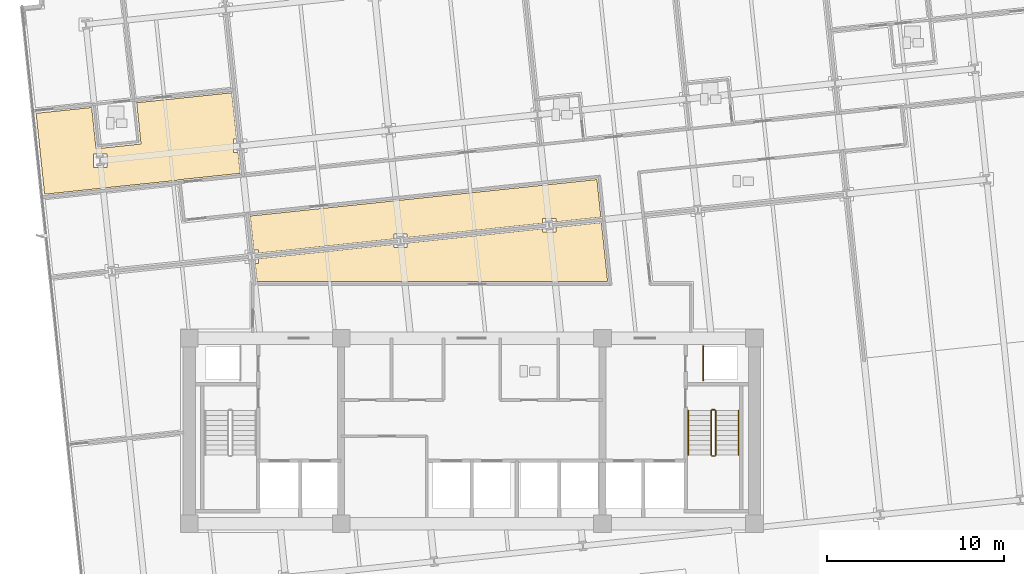
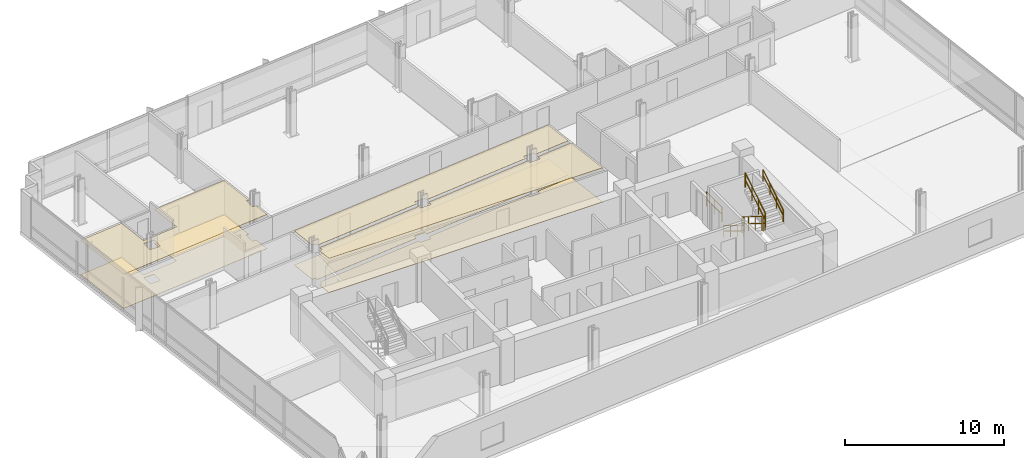
# One storey, part 15 of 18: 7 railings, 6 coverings.
"""IFC4 building model written with IfcOpenShell, lengths in metres."""

from ifc_helpers import new_model, si_unit, direction, frame, origin, origin_2d, place, context, subcontext, project, spatial, polyline, circle, outline, extrude, material, layer, layer_set, type_object, element, save


model = new_model("IFC4")

# Units and contexts
model_context = context("Model", 3, precision=1e-05, world=origin(), true_north=direction((0.0, 1.0)))
body_context = subcontext(model_context, "Body", "Model", "MODEL_VIEW")
ifc_project = project(units=[si_unit("LENGTHUNIT", "METRE"), si_unit("AREAUNIT", "SQUARE_METRE"), si_unit("VOLUMEUNIT", "CUBIC_METRE"), si_unit("PLANEANGLEUNIT", "RADIAN"), si_unit("MASSUNIT", "GRAM", prefix="KILO")], contexts=[model_context])

# Site, building, storey
site_placement = place(None, origin())
site = spatial("IfcSite", under=ifc_project, at=site_placement, CompositionType="ELEMENT")
building_placement = place(site_placement, origin())
building = spatial("IfcBuilding", under=site, at=building_placement, Name="Solmavex Isthmus Hotel", CompositionType="ELEMENT")
storey_placement = place(building_placement, frame((0.0, 0.0, 123.60009765625)))
storey = spatial("IfcBuildingStorey", under=building, at=storey_placement, Name="L33", CompositionType="ELEMENT", Elevation=123.60009765625)

# Coverings
ifc_material_1 = material(Name="Gypsum plasterboard lining", Category="gypsum")
ifc_layer_1 = layer(ifc_material_1, 0.030029296875)
ifc_layer_set_1 = layer_set([ifc_layer_1], Name="Gypsum plasterboard lining")
covering_type_1 = type_object("IfcCoveringType", Name="COV-CEIL-GYP", PredefinedType="CEILING", material=ifc_layer_set_1)
covering_1_placement = place(storey_placement, frame((0.0, 0.0, 2.619873046875)))
element("IfcCovering", 1, at=covering_1_placement, inside=storey, type_object=covering_type_1, Name="Suspended Acoustic Ceiling L33-ST01-FY", PredefinedType="CEILING", context=body_context, shape_type="SweptSolid", body=[
    extrude(outline(polyline([(-21.519775390625, 10.560791015625), (-24.66650390625, 10.22998046875), (-24.184814453125, 5.647216796875), (-16.688232421875, 6.43505859375), (-16.690185546875, 6.455078125), (-13.10986328125, 6.831298828125), (-13.23291015625, 8.002197265625), (-13.4970703125, 8.002197265625), (-13.4970703125, 8.76220703125), (-13.31298828125, 8.76220703125), (-13.589599609375, 11.394287109375), (-18.973876953125, 10.828369140625), (-18.728271484375, 8.4912109375), (-21.274169921875, 8.2236328125), (-21.519775390625, 10.560791015625)]), holes=[polyline([(-21.42138671875, 7.169189453125), (-21.42138671875, 7.92919921875), (-20.661376953125, 7.92919921875), (-20.661376953125, 7.169189453125), (-21.42138671875, 7.169189453125)])]), origin(), (0.0, 0.0, 1.0), 0.030029296875),
])
covering_2_placement = place(storey_placement, frame((0.0, 0.0, 2.619873046875)))
element("IfcCovering", 2, at=covering_2_placement, inside=storey, type_object=covering_type_1, Name="Suspended Acoustic Ceiling L33-FL08", PredefinedType="CEILING", context=body_context, shape_type="SweptSolid", body=[
    extrude(outline(polyline([(4.00048828125, 4.00439453125), (4.00048828125, 4.2685546875), (4.760498046875, 4.2685546875), (4.760498046875, 4.084228515625), (7.30615234375, 4.351806640625), (7.082275390625, 6.480224609375), (-12.54443359375, 4.417236328125), (-12.3427734375, 2.49853515625), (-12.078857421875, 2.49853515625), (-12.078857421875, 2.314453125), (-4.419189453125, 3.119384765625), (-4.419189453125, 3.383544921875), (-3.6591796875, 3.383544921875), (-3.6591796875, 3.199462890625), (4.00048828125, 4.00439453125)])), origin(), (0.0, 0.0, 1.0), 0.030029296875),
])
covering_3_placement = place(storey_placement, frame((0.0, 0.0, 2.619873046875)))
element("IfcCovering", 3, at=covering_3_placement, inside=storey, type_object=covering_type_1, Name="Suspended Acoustic Ceiling L33-FL09", PredefinedType="CEILING", context=body_context, shape_type="SweptSolid", body=[
    extrude(outline(polyline([(-12.078857421875, 2.002685546875), (-12.078857421875, 1.738525390625), (-12.262939453125, 1.738525390625), (-12.154296875, 0.705078125), (7.689453125, 0.705078125), (7.33837890625, 4.04345703125), (4.760498046875, 3.7724609375), (4.760498046875, 3.508544921875), (4.00048828125, 3.508544921875), (4.00048828125, 3.692626953125), (-3.6591796875, 2.8876953125), (-3.6591796875, 2.62353515625), (-4.419189453125, 2.62353515625), (-4.419189453125, 2.807861328125), (-12.078857421875, 2.002685546875)])), origin(), (0.0, 0.0, 1.0), 0.030029296875),
])
ifc_material_2 = material(Name="Travertine natural stone", Category="masonry")
ifc_layer_2 = layer(ifc_material_2, 0.02490234375)
ifc_layer_set_2 = layer_set([ifc_layer_2], Name="Travertine natural stone")
covering_type_2 = type_object("IfcCoveringType", Name="COV-FLOR-STN", PredefinedType="FLOORING", material=ifc_layer_set_2)
covering_4_placement = place(storey_placement, origin())
element("IfcCovering", 4, at=covering_4_placement, inside=storey, type_object=covering_type_2, Name="Stone and Timber Floor Finish L33-ST01-FY", PredefinedType="FLOORING", context=body_context, shape_type="SweptSolid", body=[
    extrude(outline(polyline([(-21.519775390625, 10.560791015625), (-24.66650390625, 10.22998046875), (-24.184814453125, 5.647216796875), (-16.688232421875, 6.43505859375), (-16.690185546875, 6.455078125), (-13.10986328125, 6.831298828125), (-13.23291015625, 8.002197265625), (-13.4970703125, 8.002197265625), (-13.4970703125, 8.76220703125), (-13.31298828125, 8.76220703125), (-13.589599609375, 11.394287109375), (-18.973876953125, 10.828369140625), (-18.728271484375, 8.4912109375), (-21.274169921875, 8.2236328125), (-21.519775390625, 10.560791015625)]), holes=[polyline([(-21.42138671875, 7.169189453125), (-21.42138671875, 7.92919921875), (-20.661376953125, 7.92919921875), (-20.661376953125, 7.169189453125), (-21.42138671875, 7.169189453125)])]), origin(), (0.0, 0.0, 1.0), 0.02490234375),
])
covering_5_placement = place(storey_placement, origin())
element("IfcCovering", 5, at=covering_5_placement, inside=storey, type_object=covering_type_2, Name="Stone and Timber Floor Finish L33-FL08", PredefinedType="FLOORING", context=body_context, shape_type="SweptSolid", body=[
    extrude(outline(polyline([(4.00048828125, 4.00439453125), (4.00048828125, 4.2685546875), (4.760498046875, 4.2685546875), (4.760498046875, 4.084228515625), (7.30615234375, 4.351806640625), (7.082275390625, 6.480224609375), (-12.54443359375, 4.417236328125), (-12.3427734375, 2.49853515625), (-12.078857421875, 2.49853515625), (-12.078857421875, 2.314453125), (-4.419189453125, 3.119384765625), (-4.419189453125, 3.383544921875), (-3.6591796875, 3.383544921875), (-3.6591796875, 3.199462890625), (4.00048828125, 4.00439453125)])), origin(), (0.0, 0.0, 1.0), 0.02490234375),
])
covering_6_placement = place(storey_placement, origin())
element("IfcCovering", 6, at=covering_6_placement, inside=storey, type_object=covering_type_2, Name="Stone and Timber Floor Finish L33-FL09", PredefinedType="FLOORING", context=body_context, shape_type="SweptSolid", body=[
    extrude(outline(polyline([(-12.078857421875, 2.002685546875), (-12.078857421875, 1.738525390625), (-12.262939453125, 1.738525390625), (-12.154296875, 0.705078125), (7.689453125, 0.705078125), (7.33837890625, 4.04345703125), (4.760498046875, 3.7724609375), (4.760498046875, 3.508544921875), (4.00048828125, 3.508544921875), (4.00048828125, 3.692626953125), (-3.6591796875, 2.8876953125), (-3.6591796875, 2.62353515625), (-4.419189453125, 2.62353515625), (-4.419189453125, 2.807861328125), (-12.078857421875, 2.002685546875)])), origin(), (0.0, 0.0, 1.0), 0.02490234375),
])

# Railings
ifc_material_3 = material(Name="Clear low-E laminated glass", Category="glass")
ifc_layer_3 = layer(ifc_material_3, 0.080078125)
ifc_layer_set_3 = layer_set([ifc_layer_3], Name="Clear low-E laminated glass")
railing_type_1 = type_object("IfcRailingType", Name="RAIL-ATRIUM-1120", PredefinedType="BALUSTRADE", material=ifc_layer_set_3)
railing_1_placement = place(storey_placement, frame((13.10009765625, -4.89990234375, 0.0)))
element("IfcRailing", 7, at=railing_1_placement, inside=storey, type_object=railing_type_1, Name="Guardrail Balustrade L33-RSE-01", PredefinedType="BALUSTRADE", context=body_context, shape_type="SweptSolid", body=[
    extrude(circle(Radius=0.02392578125, at=origin_2d()), frame((0.0, 0.0, 1.1259765625), z_axis=(0.0, 1.0, 0.0), x_axis=(-1.0, 0.0, 0.0)), (0.0, 0.0, 1.0), 1.949951171875),
    extrude(circle(Radius=0.02392578125, at=origin_2d()), frame((0.0, 0.0, 0.574951171875), z_axis=(0.0, 1.0, 0.0), x_axis=(-1.0, 0.0, 0.0)), (0.0, 0.0, 1.0), 1.949951171875),
    extrude(circle(Radius=0.02099609375, at=origin_2d()), origin(), (0.0, 0.0, 1.0), 1.101806640625),
    extrude(circle(Radius=0.02099609375, at=origin_2d()), frame((0.0, 0.97509765625, 0.0)), (0.0, 0.0, 1.0), 1.101806640625),
    extrude(circle(Radius=0.02099609375, at=origin_2d()), frame((0.0, 1.949951171875, 0.0)), (0.0, 0.0, 1.0), 1.101806640625),
])
ifc_material_4 = material(Name="Stainless steel 316", Category="steel")
ifc_layer_4 = layer(ifc_material_4, 0.06005859375)
ifc_layer_set_4 = layer_set([ifc_layer_4], Name="Stainless steel 316")
railing_type_2 = type_object("IfcRailingType", Name="RAIL-STAIR-GD", PredefinedType="GUARDRAIL", material=ifc_layer_set_4)
railing_2_placement = place(storey_placement, frame((13.550048828125, -6.60009765625, 0.17236328125)))
element("IfcRailing", 8, at=railing_2_placement, inside=storey, type_object=railing_type_2, Name="L33 ST-2 stair guard 1", PredefinedType="GUARDRAIL", context=body_context, shape_type="SweptSolid", body=[
    extrude(circle(Radius=0.02392578125, at=origin_2d()), frame((0.0, 0.0, 1.09619140625), z_axis=(0.0, -0.851400495292, 0.524516154772), x_axis=(1.0, 0.0, 0.0)), (0.0, 0.0, 1.0), 2.9599609375),
    extrude(circle(Radius=0.02392578125, at=origin_2d()), frame((0.0, 0.0, 0.56005859375), z_axis=(0.0, -0.851400495292, 0.524516154772), x_axis=(1.0, 0.0, 0.0)), (0.0, 0.0, 1.0), 2.9599609375),
    extrude(circle(Radius=0.02099609375, at=origin_2d()), origin(), (0.0, 0.0, 1.0), 1.072021484375),
    extrude(circle(Radius=0.02099609375, at=origin_2d()), frame((0.0, -0.840087890625, 0.517578125)), (0.0, 0.0, 1.0), 1.072021484375),
    extrude(circle(Radius=0.02099609375, at=origin_2d()), frame((0.0, -1.679931640625, 1.034912109375)), (0.0, 0.0, 1.0), 1.072021484375),
    extrude(circle(Radius=0.02099609375, at=origin_2d()), frame((0.0, -2.52001953125, 1.552490234375)), (0.0, 0.0, 1.0), 1.072021484375),
])
railing_3_placement = place(storey_placement, frame((13.60009765625, -9.169921875, 1.724853515625)))
element("IfcRailing", 9, at=railing_3_placement, inside=storey, type_object=railing_type_2, Name="L33 ST-2 stair guard 2", PredefinedType="GUARDRAIL", context=body_context, shape_type="SweptSolid", body=[
    extrude(circle(Radius=0.02392578125, at=origin_2d()), frame((0.0, 0.0, 1.09619140625), z_axis=(1.0, 0.0, 0.0), x_axis=(0.0, 1.0, 0.0)), (0.0, 0.0, 1.0), 0.14990234375),
    extrude(circle(Radius=0.02392578125, at=origin_2d()), frame((0.0, 0.0, 0.56005859375), z_axis=(1.0, 0.0, 0.0), x_axis=(0.0, 1.0, 0.0)), (0.0, 0.0, 1.0), 0.14990234375),
    extrude(circle(Radius=0.02099609375, at=origin_2d()), origin(), (0.0, 0.0, 1.0), 1.072021484375),
    extrude(circle(Radius=0.02099609375, at=origin_2d()), frame((0.14990234375, 0.0, 0.0)), (0.0, 0.0, 1.0), 1.072021484375),
])
railing_4_placement = place(storey_placement, frame((13.800048828125, -9.1201171875, 1.8974609375)))
element("IfcRailing", 10, at=railing_4_placement, inside=storey, type_object=railing_type_2, Name="L33 ST-2 stair guard 3", PredefinedType="GUARDRAIL", context=body_context, shape_type="SweptSolid", body=[
    extrude(circle(Radius=0.02392578125, at=origin_2d()), frame((0.0, 0.0, 1.09619140625), z_axis=(0.0, 0.851400495292, 0.524516154772), x_axis=(-1.0, 0.0, 0.0)), (0.0, 0.0, 1.0), 2.9599609375),
    extrude(circle(Radius=0.02392578125, at=origin_2d()), frame((0.0, 0.0, 0.56005859375), z_axis=(0.0, 0.851400495292, 0.524516154772), x_axis=(-1.0, 0.0, 0.0)), (0.0, 0.0, 1.0), 2.9599609375),
    extrude(circle(Radius=0.02099609375, at=origin_2d()), origin(), (0.0, 0.0, 1.0), 1.072021484375),
    extrude(circle(Radius=0.02099609375, at=origin_2d()), frame((0.0, 0.840087890625, 0.517578125)), (0.0, 0.0, 1.0), 1.072021484375),
    extrude(circle(Radius=0.02099609375, at=origin_2d()), frame((0.0, 1.679931640625, 1.034912109375)), (0.0, 0.0, 1.0), 1.072021484375),
    extrude(circle(Radius=0.02099609375, at=origin_2d()), frame((0.0, 2.52001953125, 1.552490234375)), (0.0, 0.0, 1.0), 1.072021484375),
])
railing_5_placement = place(storey_placement, frame((13.60009765625, -6.550048828125, 0.0)))
element("IfcRailing", 11, at=railing_5_placement, inside=storey, type_object=railing_type_2, Name="L33 ST-2 stair guard 4", PredefinedType="GUARDRAIL", context=body_context, shape_type="SweptSolid", body=[
    extrude(circle(Radius=0.02392578125, at=origin_2d()), frame((0.0, 0.0, 1.09619140625), z_axis=(1.0, 0.0, 0.0), x_axis=(0.0, 1.0, 0.0)), (0.0, 0.0, 1.0), 0.14990234375),
    extrude(circle(Radius=0.02392578125, at=origin_2d()), frame((0.0, 0.0, 0.56005859375), z_axis=(1.0, 0.0, 0.0), x_axis=(0.0, 1.0, 0.0)), (0.0, 0.0, 1.0), 0.14990234375),
    extrude(circle(Radius=0.02099609375, at=origin_2d()), origin(), (0.0, 0.0, 1.0), 1.072021484375),
    extrude(circle(Radius=0.02099609375, at=origin_2d()), frame((0.14990234375, 0.0, 0.0)), (0.0, 0.0, 1.0), 1.072021484375),
])
ifc_layer_5 = layer(ifc_material_4, 0.050048828125)
ifc_layer_set_5 = layer_set([ifc_layer_5], Name="Stainless steel 316")
railing_type_3 = type_object("IfcRailingType", Name="RAIL-STAIR-HR", PredefinedType="HANDRAIL", material=ifc_layer_set_5)
railing_6_placement = place(storey_placement, frame((12.25, -6.60009765625, 0.17236328125)))
element("IfcRailing", 12, at=railing_6_placement, inside=storey, type_object=railing_type_3, Name="L33 ST-2 stair handrail 1", PredefinedType="HANDRAIL", context=body_context, shape_type="SweptSolid", body=[
    extrude(circle(Radius=0.02392578125, at=origin_2d()), frame((0.0, 0.0, 0.8759765625), z_axis=(0.0, -0.851400495292, 0.524516154772), x_axis=(1.0, 0.0, 0.0)), (0.0, 0.0, 1.0), 2.9599609375),
    extrude(circle(Radius=0.02392578125, at=origin_2d()), frame((0.0, 0.0, 0.449951171875), z_axis=(0.0, -0.851400495292, 0.524516154772), x_axis=(1.0, 0.0, 0.0)), (0.0, 0.0, 1.0), 2.9599609375),
    extrude(circle(Radius=0.02099609375, at=origin_2d()), origin(), (0.0, 0.0, 1.0), 0.851806640625),
    extrude(circle(Radius=0.02099609375, at=origin_2d()), frame((0.0, -0.840087890625, 0.517578125)), (0.0, 0.0, 1.0), 0.851806640625),
    extrude(circle(Radius=0.02099609375, at=origin_2d()), frame((0.0, -1.679931640625, 1.034912109375)), (0.0, 0.0, 1.0), 0.851806640625),
    extrude(circle(Radius=0.02099609375, at=origin_2d()), frame((0.0, -2.52001953125, 1.552490234375)), (0.0, 0.0, 1.0), 0.851806640625),
])
railing_7_placement = place(storey_placement, frame((15.10009765625, -9.1201171875, 1.8974609375)))
element("IfcRailing", 13, at=railing_7_placement, inside=storey, type_object=railing_type_3, Name="L33 ST-2 stair handrail 2", PredefinedType="HANDRAIL", context=body_context, shape_type="SweptSolid", body=[
    extrude(circle(Radius=0.02392578125, at=origin_2d()), frame((0.0, 0.0, 0.8759765625), z_axis=(0.0, 0.851400495292, 0.524516154772), x_axis=(-1.0, 0.0, 0.0)), (0.0, 0.0, 1.0), 2.9599609375),
    extrude(circle(Radius=0.02392578125, at=origin_2d()), frame((0.0, 0.0, 0.449951171875), z_axis=(0.0, 0.851400495292, 0.524516154772), x_axis=(-1.0, 0.0, 0.0)), (0.0, 0.0, 1.0), 2.9599609375),
    extrude(circle(Radius=0.02099609375, at=origin_2d()), origin(), (0.0, 0.0, 1.0), 0.851806640625),
    extrude(circle(Radius=0.02099609375, at=origin_2d()), frame((0.0, 0.840087890625, 0.517578125)), (0.0, 0.0, 1.0), 0.851806640625),
    extrude(circle(Radius=0.02099609375, at=origin_2d()), frame((0.0, 1.679931640625, 1.034912109375)), (0.0, 0.0, 1.0), 0.851806640625),
    extrude(circle(Radius=0.02099609375, at=origin_2d()), frame((0.0, 2.52001953125, 1.552490234375)), (0.0, 0.0, 1.0), 0.851806640625),
])

save(model, "model.ifc")
